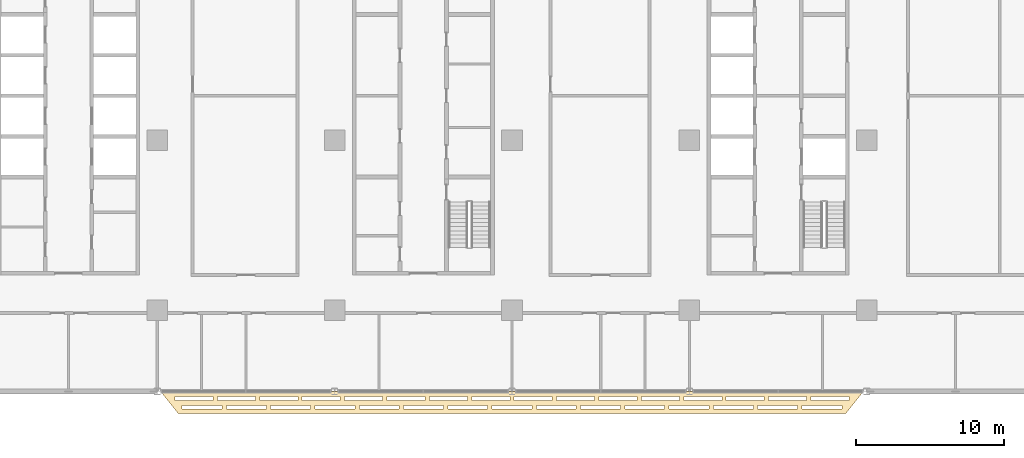
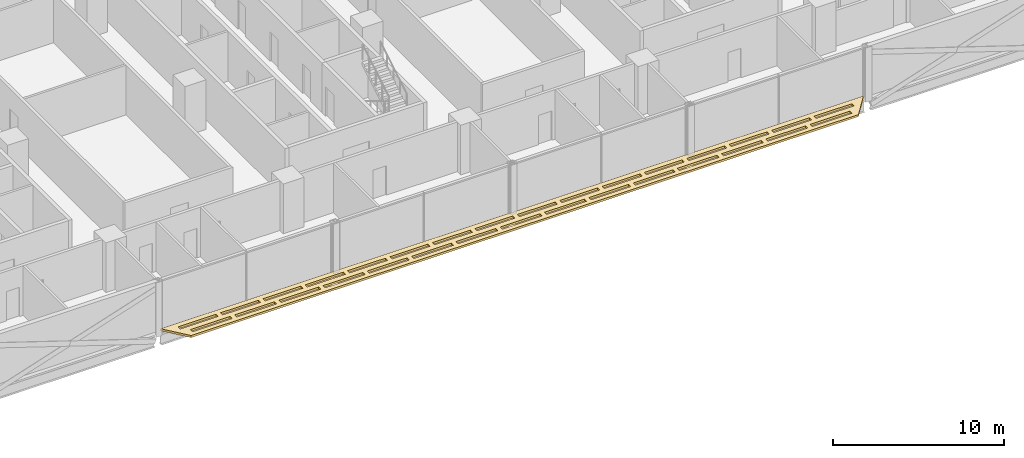
# One storey, part 25 of 29: 1 covering.
"""IFC4 building model written with IfcOpenShell, lengths in metres."""

from ifc_helpers import new_model, si_unit, direction, frame, origin, place, context, subcontext, project, spatial, polyline, outline, extrude, material, layer, layer_set, type_object, element, save


model = new_model("IFC4")

# Units and contexts
model_context = context("Model", 3, precision=1e-05, world=origin(), true_north=direction((0.0, 1.0)))
body_context = subcontext(model_context, "Body", "Model", "MODEL_VIEW")
ifc_project = project(units=[si_unit("LENGTHUNIT", "METRE"), si_unit("AREAUNIT", "SQUARE_METRE"), si_unit("VOLUMEUNIT", "CUBIC_METRE"), si_unit("PLANEANGLEUNIT", "RADIAN"), si_unit("MASSUNIT", "GRAM", prefix="KILO")], contexts=[model_context])

# Site, building, storey
site_placement = place(None, origin())
site = spatial("IfcSite", under=ifc_project, at=site_placement, CompositionType="ELEMENT")
building_placement = place(site_placement, origin())
building = spatial("IfcBuilding", under=site, at=building_placement, Name="Mahtab Terrace Research Tower", CompositionType="ELEMENT")
storey_placement = place(building_placement, frame((0.0, 0.0, 113.5)))
storey = spatial("IfcBuildingStorey", under=building, at=storey_placement, Name="L26", CompositionType="ELEMENT", Elevation=113.5)

# Covering
ifc_material = material(Name="Black anodised aluminium", Category="aluminium")
ifc_layer = layer(ifc_material, 0.14990234375)
ifc_layer_set = layer_set([ifc_layer], Name="Horizontal sunshade band")
covering_type = type_object("IfcCoveringType", Name="Horizontal sunshade band", PredefinedType="CLADDING", material=ifc_layer_set)
covering_placement = place(storey_placement, frame((0.0, 0.0, -0.14990234375)))
element("IfcCovering", 1, at=covering_placement, inside=storey, type_object=covering_type, Name="Sunshade band L26 25", PredefinedType="CLADDING", context=body_context, shape_type="SweptSolid", body=[
    extrude(outline(polyline([(-17.77197265625, -17.0), (29.77197265625, -17.0), (28.572021484375, -18.5), (-16.572021484375, -18.5), (-17.77197265625, -17.0)]), holes=[polyline([(-16.7919921875, -17.35009765625), (-14.22412109375, -17.35009765625), (-14.22412109375, -17.60009765625), (-16.7919921875, -17.60009765625), (-16.7919921875, -17.35009765625)]), polyline([(-13.924072265625, -17.35009765625), (-11.35693359375, -17.35009765625), (-11.35693359375, -17.60009765625), (-13.924072265625, -17.60009765625), (-13.924072265625, -17.35009765625)]), polyline([(-11.055908203125, -17.35009765625), (-8.489013671875, -17.35009765625), (-8.489013671875, -17.60009765625), (-11.055908203125, -17.60009765625), (-11.055908203125, -17.35009765625)]), polyline([(-8.18896484375, -17.35009765625), (-5.62109375, -17.35009765625), (-5.62109375, -17.60009765625), (-8.18896484375, -17.60009765625), (-8.18896484375, -17.35009765625)]), polyline([(-5.321044921875, -17.35009765625), (-2.7529296875, -17.35009765625), (-2.7529296875, -17.60009765625), (-5.321044921875, -17.60009765625), (-5.321044921875, -17.35009765625)]), polyline([(-2.452880859375, -17.35009765625), (0.114013671875, -17.35009765625), (0.114013671875, -17.60009765625), (-2.452880859375, -17.60009765625), (-2.452880859375, -17.35009765625)]), polyline([(0.4140625, -17.35009765625), (2.98193359375, -17.35009765625), (2.98193359375, -17.60009765625), (0.4140625, -17.60009765625), (0.4140625, -17.35009765625)]), polyline([(3.281982421875, -17.35009765625), (5.85009765625, -17.35009765625), (5.85009765625, -17.60009765625), (3.281982421875, -17.60009765625), (3.281982421875, -17.35009765625)]), polyline([(6.14990234375, -17.35009765625), (8.718017578125, -17.35009765625), (8.718017578125, -17.60009765625), (6.14990234375, -17.60009765625), (6.14990234375, -17.35009765625)]), polyline([(9.01806640625, -17.35009765625), (11.5849609375, -17.35009765625), (11.5849609375, -17.60009765625), (9.01806640625, -17.60009765625), (9.01806640625, -17.35009765625)]), polyline([(11.885009765625, -17.35009765625), (14.452880859375, -17.35009765625), (14.452880859375, -17.60009765625), (11.885009765625, -17.60009765625), (11.885009765625, -17.35009765625)]), polyline([(14.7529296875, -17.35009765625), (17.321044921875, -17.35009765625), (17.321044921875, -17.60009765625), (14.7529296875, -17.60009765625), (14.7529296875, -17.35009765625)]), polyline([(17.62109375, -17.35009765625), (20.18896484375, -17.35009765625), (20.18896484375, -17.60009765625), (17.62109375, -17.60009765625), (17.62109375, -17.35009765625)]), polyline([(20.489013671875, -17.35009765625), (23.055908203125, -17.35009765625), (23.055908203125, -17.60009765625), (20.489013671875, -17.60009765625), (20.489013671875, -17.35009765625)]), polyline([(23.35595703125, -17.35009765625), (25.924072265625, -17.35009765625), (25.924072265625, -17.60009765625), (23.35595703125, -17.60009765625), (23.35595703125, -17.35009765625)]), polyline([(26.22412109375, -17.35009765625), (28.7919921875, -17.35009765625), (28.7919921875, -17.60009765625), (26.22412109375, -17.60009765625), (26.22412109375, -17.35009765625)]), polyline([(-16.31201171875, -17.949951171875), (-13.616943359375, -17.949951171875), (-13.616943359375, -18.199951171875), (-16.31201171875, -18.199951171875), (-16.31201171875, -17.949951171875)]), polyline([(-13.31689453125, -17.949951171875), (-10.6220703125, -17.949951171875), (-10.6220703125, -18.199951171875), (-13.31689453125, -18.199951171875), (-13.31689453125, -17.949951171875)]), polyline([(-10.322021484375, -17.949951171875), (-7.626953125, -17.949951171875), (-7.626953125, -18.199951171875), (-10.322021484375, -18.199951171875), (-10.322021484375, -17.949951171875)]), polyline([(-7.326904296875, -17.949951171875), (-4.632080078125, -17.949951171875), (-4.632080078125, -18.199951171875), (-7.326904296875, -18.199951171875), (-7.326904296875, -17.949951171875)]), polyline([(-4.33203125, -17.949951171875), (-1.636962890625, -17.949951171875), (-1.636962890625, -18.199951171875), (-4.33203125, -18.199951171875), (-4.33203125, -17.949951171875)]), polyline([(-1.3369140625, -17.949951171875), (1.35791015625, -17.949951171875), (1.35791015625, -18.199951171875), (-1.3369140625, -18.199951171875), (-1.3369140625, -17.949951171875)]), polyline([(1.657958984375, -17.949951171875), (4.35302734375, -17.949951171875), (4.35302734375, -18.199951171875), (1.657958984375, -18.199951171875), (1.657958984375, -17.949951171875)]), polyline([(4.653076171875, -17.949951171875), (7.346923828125, -17.949951171875), (7.346923828125, -18.199951171875), (4.653076171875, -18.199951171875), (4.653076171875, -17.949951171875)]), polyline([(7.64697265625, -17.949951171875), (10.342041015625, -17.949951171875), (10.342041015625, -18.199951171875), (7.64697265625, -18.199951171875), (7.64697265625, -17.949951171875)]), polyline([(10.64208984375, -17.949951171875), (13.3369140625, -17.949951171875), (13.3369140625, -18.199951171875), (10.64208984375, -18.199951171875), (10.64208984375, -17.949951171875)]), polyline([(13.636962890625, -17.949951171875), (16.33203125, -17.949951171875), (16.33203125, -18.199951171875), (13.636962890625, -18.199951171875), (13.636962890625, -17.949951171875)]), polyline([(16.632080078125, -17.949951171875), (19.326904296875, -17.949951171875), (19.326904296875, -18.199951171875), (16.632080078125, -18.199951171875), (16.632080078125, -17.949951171875)]), polyline([(19.626953125, -17.949951171875), (22.322021484375, -17.949951171875), (22.322021484375, -18.199951171875), (19.626953125, -18.199951171875), (19.626953125, -17.949951171875)]), polyline([(22.6220703125, -17.949951171875), (25.31689453125, -17.949951171875), (25.31689453125, -18.199951171875), (22.6220703125, -18.199951171875), (22.6220703125, -17.949951171875)]), polyline([(25.616943359375, -17.949951171875), (28.31201171875, -17.949951171875), (28.31201171875, -18.199951171875), (25.616943359375, -18.199951171875), (25.616943359375, -17.949951171875)])]), origin(), (0.0, 0.0, 1.0), 0.14990234375),
])

save(model, "model.ifc")
